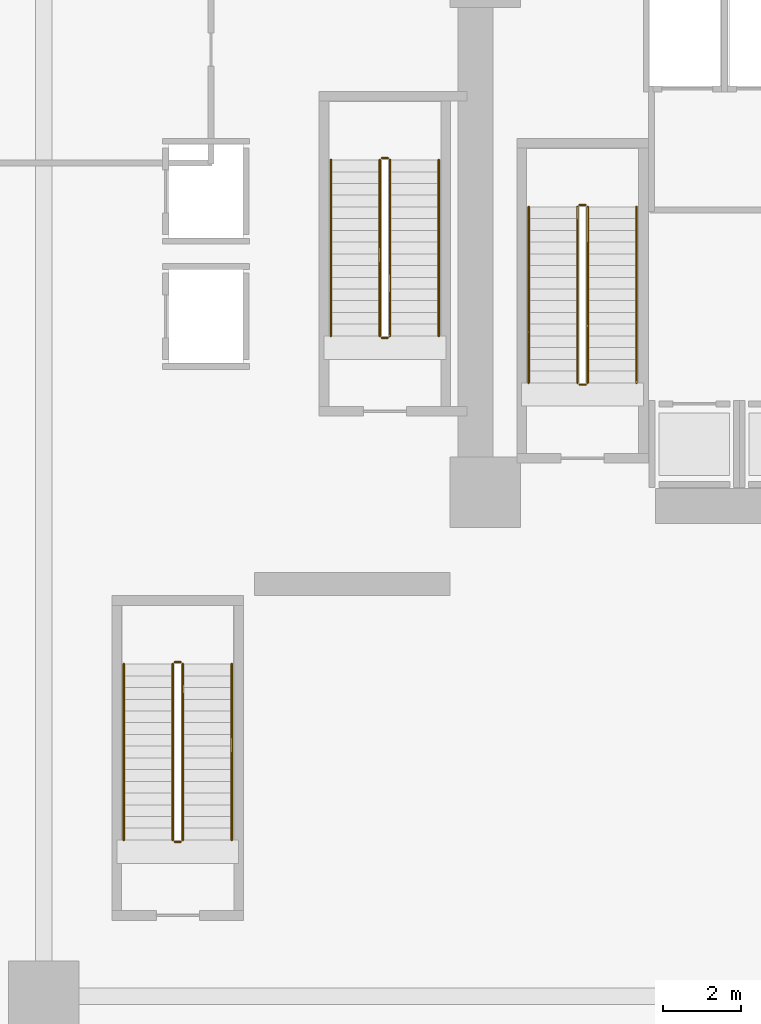
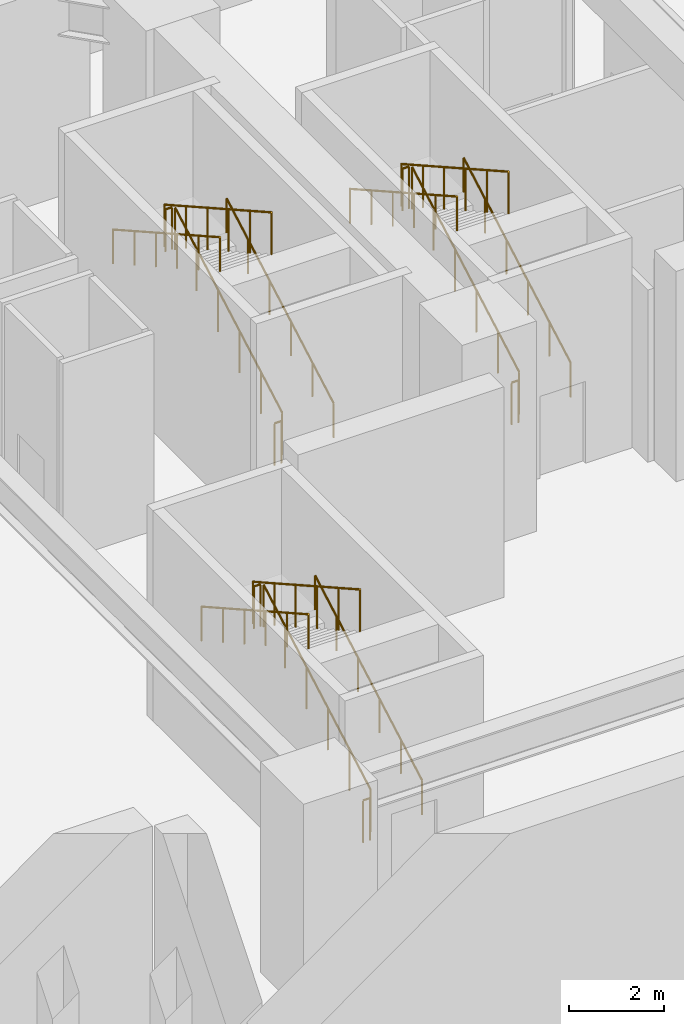
# One storey, part 7 of 9: 18 railings.
"""IFC4 building model written with IfcOpenShell, lengths in metres."""

from ifc_helpers import new_model, si_unit, direction, frame, origin, origin_2d, place, context, subcontext, project, spatial, circle, extrude, material, type_object, element, save


model = new_model("IFC4")

# Units and contexts
model_context = context("Model", 3, precision=1e-05, world=origin(), true_north=direction((0.0, 1.0)))
body_context = subcontext(model_context, "Body", "Model", "MODEL_VIEW")
ifc_project = project(units=[si_unit("LENGTHUNIT", "METRE"), si_unit("AREAUNIT", "SQUARE_METRE"), si_unit("VOLUMEUNIT", "CUBIC_METRE"), si_unit("PLANEANGLEUNIT", "RADIAN"), si_unit("MASSUNIT", "GRAM", prefix="KILO")], contexts=[model_context])

# Site, building, storey
site_placement = place(None, origin())
site = spatial("IfcSite", under=ifc_project, at=site_placement, CompositionType="ELEMENT")
building_placement = place(site_placement, origin())
building = spatial("IfcBuilding", under=site, at=building_placement, Name="Solvane Sanctuary Tower", CompositionType="ELEMENT")
storey_placement = place(building_placement, frame((0.0, 0.0, -5.39990234375)))
storey = spatial("IfcBuildingStorey", under=building, at=storey_placement, Name="B01", CompositionType="ELEMENT", Elevation=-5.39990234375)

# Railings
ifc_material = material(Name="Architectural Stainless Steel 316", Category="steel")
railing_type_1 = type_object("IfcRailingType", Name="Railing GR-BALC-1150", PredefinedType="BALUSTRADE", material=ifc_material)
railing_1_placement = place(storey_placement, frame((17.919921875, 19.699951171875, 0.168701171875)))
element("IfcRailing", 1, at=railing_1_placement, inside=storey, type_object=railing_type_1, Name="B01 ST-1 stair guard 1", PredefinedType="BALUSTRADE", context=body_context, shape_type="SweptSolid", body=[
    extrude(circle(Radius=0.02392578125, at=origin_2d()), frame((0.0, 0.0, 1.076171875), z_axis=(0.0, 0.871575537125, 0.490261239633), x_axis=(-1.0, 0.0, 0.0)), (0.0, 0.0, 1.0), 5.1630859375),
    extrude(circle(Radius=0.02099609375, at=origin_2d()), origin(), (0.0, 0.0, 1.0), 1.052001953125),
    extrude(circle(Radius=0.02099609375, at=origin_2d()), frame((0.0, 0.89990234375, 0.50634765625)), (0.0, 0.0, 1.0), 1.052001953125),
    extrude(circle(Radius=0.02099609375, at=origin_2d()), frame((0.0, 1.800048828125, 1.012451171875)), (0.0, 0.0, 1.0), 1.052001953125),
    extrude(circle(Radius=0.02099609375, at=origin_2d()), frame((0.0, 2.699951171875, 1.518798828125)), (0.0, 0.0, 1.0), 1.052001953125),
    extrude(circle(Radius=0.02099609375, at=origin_2d()), frame((0.0, 3.60009765625, 2.02490234375)), (0.0, 0.0, 1.0), 1.052001953125),
    extrude(circle(Radius=0.02099609375, at=origin_2d()), frame((0.0, 4.5, 2.53125)), (0.0, 0.0, 1.0), 1.052001953125),
])
railing_2_placement = place(storey_placement, frame((17.8701171875, 24.25, 2.699951171875)))
element("IfcRailing", 2, at=railing_2_placement, inside=storey, type_object=railing_type_1, Name="B01 ST-1 stair guard 2", PredefinedType="BALUSTRADE", context=body_context, shape_type="SweptSolid", body=[
    extrude(circle(Radius=0.02392578125, at=origin_2d()), frame((0.0, 0.0, 1.076171875), z_axis=(-1.0, 0.0, 0.0), x_axis=(0.0, -1.0, 0.0)), (0.0, 0.0, 1.0), 0.16015625),
    extrude(circle(Radius=0.02099609375, at=origin_2d()), origin(), (0.0, 0.0, 1.0), 1.052001953125),
    extrude(circle(Radius=0.02099609375, at=origin_2d()), frame((-0.16015625, 0.0, 0.0)), (0.0, 0.0, 1.0), 1.052001953125),
])
railing_3_placement = place(storey_placement, frame((17.659912109375, 24.199951171875, 2.86865234375)))
element("IfcRailing", 3, at=railing_3_placement, inside=storey, type_object=railing_type_1, Name="B01 ST-1 stair guard 3", PredefinedType="BALUSTRADE", context=body_context, shape_type="SweptSolid", body=[
    extrude(circle(Radius=0.02392578125, at=origin_2d()), frame((0.0, 0.0, 1.076171875), z_axis=(0.0, -0.871575537125, 0.490261239633), x_axis=(1.0, 0.0, 0.0)), (0.0, 0.0, 1.0), 5.1630859375),
    extrude(circle(Radius=0.02099609375, at=origin_2d()), origin(), (0.0, 0.0, 1.0), 1.052001953125),
    extrude(circle(Radius=0.02099609375, at=origin_2d()), frame((0.0, -0.89990234375, 0.50634765625)), (0.0, 0.0, 1.0), 1.052001953125),
    extrude(circle(Radius=0.02099609375, at=origin_2d()), frame((0.0, -1.800048828125, 1.012451171875)), (0.0, 0.0, 1.0), 1.052001953125),
    extrude(circle(Radius=0.02099609375, at=origin_2d()), frame((0.0, -2.699951171875, 1.518798828125)), (0.0, 0.0, 1.0), 1.052001953125),
    extrude(circle(Radius=0.02099609375, at=origin_2d()), frame((0.0, -3.60009765625, 2.02490234375)), (0.0, 0.0, 1.0), 1.052001953125),
    extrude(circle(Radius=0.02099609375, at=origin_2d()), frame((0.0, -4.5, 2.53125)), (0.0, 0.0, 1.0), 1.052001953125),
])
railing_4_placement = place(storey_placement, frame((17.8701171875, 19.64990234375, 0.0)))
element("IfcRailing", 4, at=railing_4_placement, inside=storey, type_object=railing_type_1, Name="B01 ST-1 stair guard 4", PredefinedType="BALUSTRADE", context=body_context, shape_type="SweptSolid", body=[
    extrude(circle(Radius=0.02392578125, at=origin_2d()), frame((0.0, 0.0, 1.076171875), z_axis=(-1.0, 0.0, 0.0), x_axis=(0.0, -1.0, 0.0)), (0.0, 0.0, 1.0), 0.16015625),
    extrude(circle(Radius=0.02099609375, at=origin_2d()), origin(), (0.0, 0.0, 1.0), 1.052001953125),
    extrude(circle(Radius=0.02099609375, at=origin_2d()), frame((-0.16015625, 0.0, 0.0)), (0.0, 0.0, 1.0), 1.052001953125),
])
railing_5_placement = place(storey_placement, frame((12.860107421875, 20.89990234375, 0.168701171875)))
element("IfcRailing", 5, at=railing_5_placement, inside=storey, type_object=railing_type_1, Name="B01 ST-3 stair guard 1", PredefinedType="BALUSTRADE", context=body_context, shape_type="SweptSolid", body=[
    extrude(circle(Radius=0.02392578125, at=origin_2d()), frame((0.0, 0.0, 1.076171875), z_axis=(0.0, 0.871575537125, 0.490261239633), x_axis=(-1.0, 0.0, 0.0)), (0.0, 0.0, 1.0), 5.1630859375),
    extrude(circle(Radius=0.02099609375, at=origin_2d()), origin(), (0.0, 0.0, 1.0), 1.052001953125),
    extrude(circle(Radius=0.02099609375, at=origin_2d()), frame((0.0, 0.89990234375, 0.50634765625)), (0.0, 0.0, 1.0), 1.052001953125),
    extrude(circle(Radius=0.02099609375, at=origin_2d()), frame((0.0, 1.800048828125, 1.012451171875)), (0.0, 0.0, 1.0), 1.052001953125),
    extrude(circle(Radius=0.02099609375, at=origin_2d()), frame((0.0, 2.699951171875, 1.518798828125)), (0.0, 0.0, 1.0), 1.052001953125),
    extrude(circle(Radius=0.02099609375, at=origin_2d()), frame((0.0, 3.60009765625, 2.02490234375)), (0.0, 0.0, 1.0), 1.052001953125),
    extrude(circle(Radius=0.02099609375, at=origin_2d()), frame((0.0, 4.5, 2.53125)), (0.0, 0.0, 1.0), 1.052001953125),
])
railing_6_placement = place(storey_placement, frame((12.81005859375, 25.449951171875, 2.699951171875)))
element("IfcRailing", 6, at=railing_6_placement, inside=storey, type_object=railing_type_1, Name="B01 ST-3 stair guard 2", PredefinedType="BALUSTRADE", context=body_context, shape_type="SweptSolid", body=[
    extrude(circle(Radius=0.02392578125, at=origin_2d()), frame((0.0, 0.0, 1.076171875), z_axis=(-1.0, 0.0, 0.0), x_axis=(0.0, -1.0, 0.0)), (0.0, 0.0, 1.0), 0.16015625),
    extrude(circle(Radius=0.02099609375, at=origin_2d()), origin(), (0.0, 0.0, 1.0), 1.052001953125),
    extrude(circle(Radius=0.02099609375, at=origin_2d()), frame((-0.16015625, 0.0, 0.0)), (0.0, 0.0, 1.0), 1.052001953125),
])
railing_7_placement = place(storey_placement, frame((12.60009765625, 25.39990234375, 2.86865234375)))
element("IfcRailing", 7, at=railing_7_placement, inside=storey, type_object=railing_type_1, Name="B01 ST-3 stair guard 3", PredefinedType="BALUSTRADE", context=body_context, shape_type="SweptSolid", body=[
    extrude(circle(Radius=0.02392578125, at=origin_2d()), frame((0.0, 0.0, 1.076171875), z_axis=(0.0, -0.871575537125, 0.490261239633), x_axis=(1.0, 0.0, 0.0)), (0.0, 0.0, 1.0), 5.1630859375),
    extrude(circle(Radius=0.02099609375, at=origin_2d()), origin(), (0.0, 0.0, 1.0), 1.052001953125),
    extrude(circle(Radius=0.02099609375, at=origin_2d()), frame((0.0, -0.89990234375, 0.50634765625)), (0.0, 0.0, 1.0), 1.052001953125),
    extrude(circle(Radius=0.02099609375, at=origin_2d()), frame((0.0, -1.800048828125, 1.012451171875)), (0.0, 0.0, 1.0), 1.052001953125),
    extrude(circle(Radius=0.02099609375, at=origin_2d()), frame((0.0, -2.699951171875, 1.518798828125)), (0.0, 0.0, 1.0), 1.052001953125),
    extrude(circle(Radius=0.02099609375, at=origin_2d()), frame((0.0, -3.60009765625, 2.02490234375)), (0.0, 0.0, 1.0), 1.052001953125),
    extrude(circle(Radius=0.02099609375, at=origin_2d()), frame((0.0, -4.5, 2.53125)), (0.0, 0.0, 1.0), 1.052001953125),
])
railing_8_placement = place(storey_placement, frame((12.81005859375, 20.85009765625, 0.0)))
element("IfcRailing", 8, at=railing_8_placement, inside=storey, type_object=railing_type_1, Name="B01 ST-3 stair guard 4", PredefinedType="BALUSTRADE", context=body_context, shape_type="SweptSolid", body=[
    extrude(circle(Radius=0.02392578125, at=origin_2d()), frame((0.0, 0.0, 1.076171875), z_axis=(-1.0, 0.0, 0.0), x_axis=(0.0, -1.0, 0.0)), (0.0, 0.0, 1.0), 0.16015625),
    extrude(circle(Radius=0.02099609375, at=origin_2d()), origin(), (0.0, 0.0, 1.0), 1.052001953125),
    extrude(circle(Radius=0.02099609375, at=origin_2d()), frame((-0.16015625, 0.0, 0.0)), (0.0, 0.0, 1.0), 1.052001953125),
])
railing_9_placement = place(storey_placement, frame((7.56005859375, 8.0, 0.168701171875)))
element("IfcRailing", 9, at=railing_9_placement, inside=storey, type_object=railing_type_1, Name="B01 ST-4 stair guard 1", PredefinedType="BALUSTRADE", context=body_context, shape_type="SweptSolid", body=[
    extrude(circle(Radius=0.02392578125, at=origin_2d()), frame((0.0, 0.0, 1.076171875), z_axis=(0.0, 0.871575537125, 0.490261239633), x_axis=(-1.0, 0.0, 0.0)), (0.0, 0.0, 1.0), 5.1630859375),
    extrude(circle(Radius=0.02099609375, at=origin_2d()), origin(), (0.0, 0.0, 1.0), 1.052001953125),
    extrude(circle(Radius=0.02099609375, at=origin_2d()), frame((0.0, 0.89990234375, 0.50634765625)), (0.0, 0.0, 1.0), 1.052001953125),
    extrude(circle(Radius=0.02099609375, at=origin_2d()), frame((0.0, 1.800048828125, 1.012451171875)), (0.0, 0.0, 1.0), 1.052001953125),
    extrude(circle(Radius=0.02099609375, at=origin_2d()), frame((0.0, 2.699951171875, 1.518798828125)), (0.0, 0.0, 1.0), 1.052001953125),
    extrude(circle(Radius=0.02099609375, at=origin_2d()), frame((0.0, 3.60009765625, 2.02490234375)), (0.0, 0.0, 1.0), 1.052001953125),
    extrude(circle(Radius=0.02099609375, at=origin_2d()), frame((0.0, 4.5, 2.53125)), (0.0, 0.0, 1.0), 1.052001953125),
])
railing_10_placement = place(storey_placement, frame((7.510009765625, 12.550048828125, 2.699951171875)))
element("IfcRailing", 10, at=railing_10_placement, inside=storey, type_object=railing_type_1, Name="B01 ST-4 stair guard 2", PredefinedType="BALUSTRADE", context=body_context, shape_type="SweptSolid", body=[
    extrude(circle(Radius=0.02392578125, at=origin_2d()), frame((0.0, 0.0, 1.076171875), z_axis=(-1.0, 0.0, 0.0), x_axis=(0.0, -1.0, 0.0)), (0.0, 0.0, 1.0), 0.159912109375),
    extrude(circle(Radius=0.02099609375, at=origin_2d()), origin(), (0.0, 0.0, 1.0), 1.052001953125),
    extrude(circle(Radius=0.02099609375, at=origin_2d()), frame((-0.159912109375, 0.0, 0.0)), (0.0, 0.0, 1.0), 1.052001953125),
])
railing_11_placement = place(storey_placement, frame((7.300048828125, 12.5, 2.86865234375)))
element("IfcRailing", 11, at=railing_11_placement, inside=storey, type_object=railing_type_1, Name="B01 ST-4 stair guard 3", PredefinedType="BALUSTRADE", context=body_context, shape_type="SweptSolid", body=[
    extrude(circle(Radius=0.02392578125, at=origin_2d()), frame((0.0, 0.0, 1.076171875), z_axis=(0.0, -0.871575537125, 0.490261239633), x_axis=(1.0, 0.0, 0.0)), (0.0, 0.0, 1.0), 5.1630859375),
    extrude(circle(Radius=0.02099609375, at=origin_2d()), origin(), (0.0, 0.0, 1.0), 1.052001953125),
    extrude(circle(Radius=0.02099609375, at=origin_2d()), frame((0.0, -0.89990234375, 0.50634765625)), (0.0, 0.0, 1.0), 1.052001953125),
    extrude(circle(Radius=0.02099609375, at=origin_2d()), frame((0.0, -1.800048828125, 1.012451171875)), (0.0, 0.0, 1.0), 1.052001953125),
    extrude(circle(Radius=0.02099609375, at=origin_2d()), frame((0.0, -2.699951171875, 1.518798828125)), (0.0, 0.0, 1.0), 1.052001953125),
    extrude(circle(Radius=0.02099609375, at=origin_2d()), frame((0.0, -3.60009765625, 2.02490234375)), (0.0, 0.0, 1.0), 1.052001953125),
    extrude(circle(Radius=0.02099609375, at=origin_2d()), frame((0.0, -4.5, 2.53125)), (0.0, 0.0, 1.0), 1.052001953125),
])
railing_12_placement = place(storey_placement, frame((7.510009765625, 7.949951171875, 0.0)))
element("IfcRailing", 12, at=railing_12_placement, inside=storey, type_object=railing_type_1, Name="B01 ST-4 stair guard 4", PredefinedType="BALUSTRADE", context=body_context, shape_type="SweptSolid", body=[
    extrude(circle(Radius=0.02392578125, at=origin_2d()), frame((0.0, 0.0, 1.076171875), z_axis=(-1.0, 0.0, 0.0), x_axis=(0.0, -1.0, 0.0)), (0.0, 0.0, 1.0), 0.159912109375),
    extrude(circle(Radius=0.02099609375, at=origin_2d()), origin(), (0.0, 0.0, 1.0), 1.052001953125),
    extrude(circle(Radius=0.02099609375, at=origin_2d()), frame((-0.159912109375, 0.0, 0.0)), (0.0, 0.0, 1.0), 1.052001953125),
])
railing_type_2 = type_object("IfcRailingType", Name="Railing HR-STAIR-920", PredefinedType="HANDRAIL", material=ifc_material)
railing_13_placement = place(storey_placement, frame((19.169921875, 19.699951171875, 0.168701171875)))
element("IfcRailing", 13, at=railing_13_placement, inside=storey, type_object=railing_type_2, Name="B01 ST-1 stair handrail 1", PredefinedType="HANDRAIL", context=body_context, shape_type="SweptSolid", body=[
    extrude(circle(Radius=0.02392578125, at=origin_2d()), frame((0.0, 0.0, 0.8759765625), z_axis=(0.0, 0.871575537125, 0.490261239633), x_axis=(-1.0, 0.0, 0.0)), (0.0, 0.0, 1.0), 5.1630859375),
    extrude(circle(Radius=0.02099609375, at=origin_2d()), origin(), (0.0, 0.0, 1.0), 0.851806640625),
    extrude(circle(Radius=0.02099609375, at=origin_2d()), frame((0.0, 0.89990234375, 0.50634765625)), (0.0, 0.0, 1.0), 0.851806640625),
    extrude(circle(Radius=0.02099609375, at=origin_2d()), frame((0.0, 1.800048828125, 1.012451171875)), (0.0, 0.0, 1.0), 0.851806640625),
    extrude(circle(Radius=0.02099609375, at=origin_2d()), frame((0.0, 2.699951171875, 1.518798828125)), (0.0, 0.0, 1.0), 0.851806640625),
    extrude(circle(Radius=0.02099609375, at=origin_2d()), frame((0.0, 3.60009765625, 2.02490234375)), (0.0, 0.0, 1.0), 0.851806640625),
    extrude(circle(Radius=0.02099609375, at=origin_2d()), frame((0.0, 4.5, 2.53125)), (0.0, 0.0, 1.0), 0.851806640625),
])
railing_14_placement = place(storey_placement, frame((16.409912109375, 24.199951171875, 2.86865234375)))
element("IfcRailing", 14, at=railing_14_placement, inside=storey, type_object=railing_type_2, Name="B01 ST-1 stair handrail 2", PredefinedType="HANDRAIL", context=body_context, shape_type="SweptSolid", body=[
    extrude(circle(Radius=0.02392578125, at=origin_2d()), frame((0.0, 0.0, 0.8759765625), z_axis=(0.0, -0.871575537125, 0.490261239633), x_axis=(1.0, 0.0, 0.0)), (0.0, 0.0, 1.0), 5.1630859375),
    extrude(circle(Radius=0.02099609375, at=origin_2d()), origin(), (0.0, 0.0, 1.0), 0.851806640625),
    extrude(circle(Radius=0.02099609375, at=origin_2d()), frame((0.0, -0.89990234375, 0.50634765625)), (0.0, 0.0, 1.0), 0.851806640625),
    extrude(circle(Radius=0.02099609375, at=origin_2d()), frame((0.0, -1.800048828125, 1.012451171875)), (0.0, 0.0, 1.0), 0.851806640625),
    extrude(circle(Radius=0.02099609375, at=origin_2d()), frame((0.0, -2.699951171875, 1.518798828125)), (0.0, 0.0, 1.0), 0.851806640625),
    extrude(circle(Radius=0.02099609375, at=origin_2d()), frame((0.0, -3.60009765625, 2.02490234375)), (0.0, 0.0, 1.0), 0.851806640625),
    extrude(circle(Radius=0.02099609375, at=origin_2d()), frame((0.0, -4.5, 2.53125)), (0.0, 0.0, 1.0), 0.851806640625),
])
railing_15_placement = place(storey_placement, frame((14.110107421875, 20.89990234375, 0.168701171875)))
element("IfcRailing", 15, at=railing_15_placement, inside=storey, type_object=railing_type_2, Name="B01 ST-3 stair handrail 1", PredefinedType="HANDRAIL", context=body_context, shape_type="SweptSolid", body=[
    extrude(circle(Radius=0.02392578125, at=origin_2d()), frame((0.0, 0.0, 0.8759765625), z_axis=(0.0, 0.871575537125, 0.490261239633), x_axis=(-1.0, 0.0, 0.0)), (0.0, 0.0, 1.0), 5.1630859375),
    extrude(circle(Radius=0.02099609375, at=origin_2d()), origin(), (0.0, 0.0, 1.0), 0.851806640625),
    extrude(circle(Radius=0.02099609375, at=origin_2d()), frame((0.0, 0.89990234375, 0.50634765625)), (0.0, 0.0, 1.0), 0.851806640625),
    extrude(circle(Radius=0.02099609375, at=origin_2d()), frame((0.0, 1.800048828125, 1.012451171875)), (0.0, 0.0, 1.0), 0.851806640625),
    extrude(circle(Radius=0.02099609375, at=origin_2d()), frame((0.0, 2.699951171875, 1.518798828125)), (0.0, 0.0, 1.0), 0.851806640625),
    extrude(circle(Radius=0.02099609375, at=origin_2d()), frame((0.0, 3.60009765625, 2.02490234375)), (0.0, 0.0, 1.0), 0.851806640625),
    extrude(circle(Radius=0.02099609375, at=origin_2d()), frame((0.0, 4.5, 2.53125)), (0.0, 0.0, 1.0), 0.851806640625),
])
railing_16_placement = place(storey_placement, frame((11.35009765625, 25.39990234375, 2.86865234375)))
element("IfcRailing", 16, at=railing_16_placement, inside=storey, type_object=railing_type_2, Name="B01 ST-3 stair handrail 2", PredefinedType="HANDRAIL", context=body_context, shape_type="SweptSolid", body=[
    extrude(circle(Radius=0.02392578125, at=origin_2d()), frame((0.0, 0.0, 0.8759765625), z_axis=(0.0, -0.871575537125, 0.490261239633), x_axis=(1.0, 0.0, 0.0)), (0.0, 0.0, 1.0), 5.1630859375),
    extrude(circle(Radius=0.02099609375, at=origin_2d()), origin(), (0.0, 0.0, 1.0), 0.851806640625),
    extrude(circle(Radius=0.02099609375, at=origin_2d()), frame((0.0, -0.89990234375, 0.50634765625)), (0.0, 0.0, 1.0), 0.851806640625),
    extrude(circle(Radius=0.02099609375, at=origin_2d()), frame((0.0, -1.800048828125, 1.012451171875)), (0.0, 0.0, 1.0), 0.851806640625),
    extrude(circle(Radius=0.02099609375, at=origin_2d()), frame((0.0, -2.699951171875, 1.518798828125)), (0.0, 0.0, 1.0), 0.851806640625),
    extrude(circle(Radius=0.02099609375, at=origin_2d()), frame((0.0, -3.60009765625, 2.02490234375)), (0.0, 0.0, 1.0), 0.851806640625),
    extrude(circle(Radius=0.02099609375, at=origin_2d()), frame((0.0, -4.5, 2.53125)), (0.0, 0.0, 1.0), 0.851806640625),
])
railing_17_placement = place(storey_placement, frame((8.81005859375, 8.0, 0.168701171875)))
element("IfcRailing", 17, at=railing_17_placement, inside=storey, type_object=railing_type_2, Name="B01 ST-4 stair handrail 1", PredefinedType="HANDRAIL", context=body_context, shape_type="SweptSolid", body=[
    extrude(circle(Radius=0.02392578125, at=origin_2d()), frame((0.0, 0.0, 0.8759765625), z_axis=(0.0, 0.871575537125, 0.490261239633), x_axis=(-1.0, 0.0, 0.0)), (0.0, 0.0, 1.0), 5.1630859375),
    extrude(circle(Radius=0.02099609375, at=origin_2d()), origin(), (0.0, 0.0, 1.0), 0.851806640625),
    extrude(circle(Radius=0.02099609375, at=origin_2d()), frame((0.0, 0.89990234375, 0.50634765625)), (0.0, 0.0, 1.0), 0.851806640625),
    extrude(circle(Radius=0.02099609375, at=origin_2d()), frame((0.0, 1.800048828125, 1.012451171875)), (0.0, 0.0, 1.0), 0.851806640625),
    extrude(circle(Radius=0.02099609375, at=origin_2d()), frame((0.0, 2.699951171875, 1.518798828125)), (0.0, 0.0, 1.0), 0.851806640625),
    extrude(circle(Radius=0.02099609375, at=origin_2d()), frame((0.0, 3.60009765625, 2.02490234375)), (0.0, 0.0, 1.0), 0.851806640625),
    extrude(circle(Radius=0.02099609375, at=origin_2d()), frame((0.0, 4.5, 2.53125)), (0.0, 0.0, 1.0), 0.851806640625),
])
railing_18_placement = place(storey_placement, frame((6.050048828125, 12.5, 2.86865234375)))
element("IfcRailing", 18, at=railing_18_placement, inside=storey, type_object=railing_type_2, Name="B01 ST-4 stair handrail 2", PredefinedType="HANDRAIL", context=body_context, shape_type="SweptSolid", body=[
    extrude(circle(Radius=0.02392578125, at=origin_2d()), frame((0.0, 0.0, 0.8759765625), z_axis=(0.0, -0.871575537125, 0.490261239633), x_axis=(1.0, 0.0, 0.0)), (0.0, 0.0, 1.0), 5.1630859375),
    extrude(circle(Radius=0.02099609375, at=origin_2d()), origin(), (0.0, 0.0, 1.0), 0.851806640625),
    extrude(circle(Radius=0.02099609375, at=origin_2d()), frame((0.0, -0.89990234375, 0.50634765625)), (0.0, 0.0, 1.0), 0.851806640625),
    extrude(circle(Radius=0.02099609375, at=origin_2d()), frame((0.0, -1.800048828125, 1.012451171875)), (0.0, 0.0, 1.0), 0.851806640625),
    extrude(circle(Radius=0.02099609375, at=origin_2d()), frame((0.0, -2.699951171875, 1.518798828125)), (0.0, 0.0, 1.0), 0.851806640625),
    extrude(circle(Radius=0.02099609375, at=origin_2d()), frame((0.0, -3.60009765625, 2.02490234375)), (0.0, 0.0, 1.0), 0.851806640625),
    extrude(circle(Radius=0.02099609375, at=origin_2d()), frame((0.0, -4.5, 2.53125)), (0.0, 0.0, 1.0), 0.851806640625),
])

save(model, "model.ifc")
